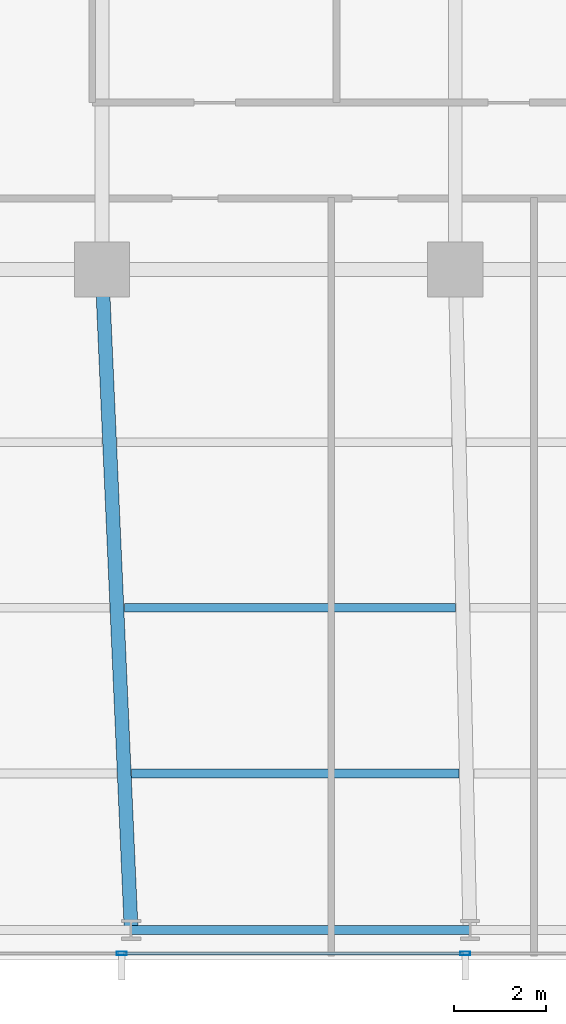
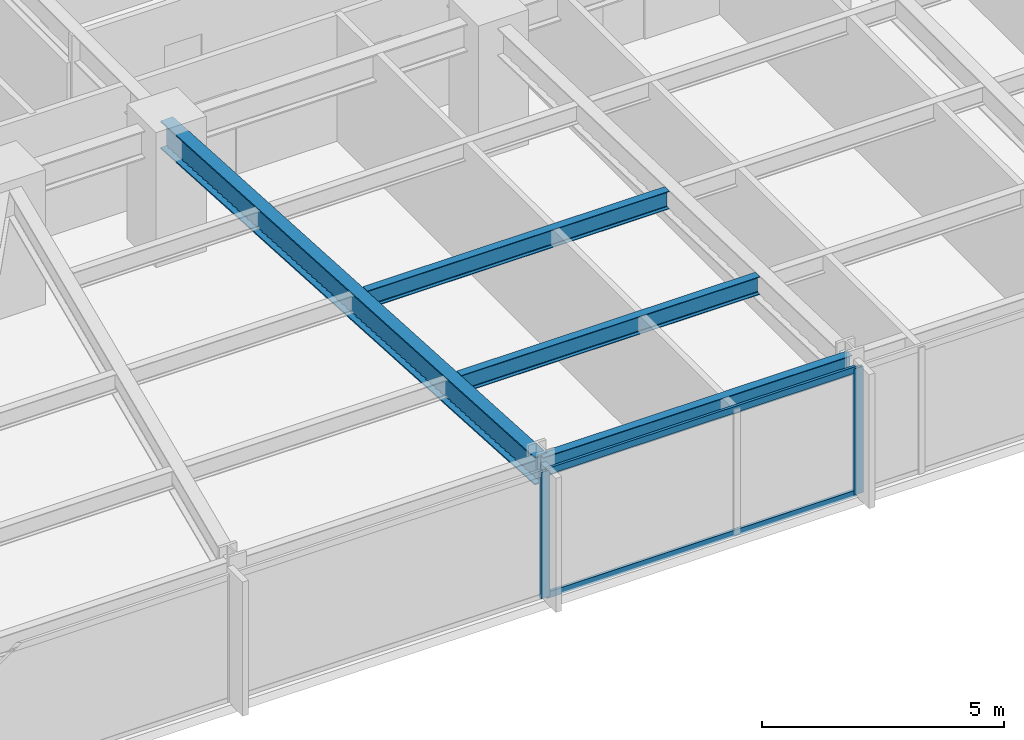
# One storey, part 5 of 33: 4 beams, 4 members, 1 element without a shape of its own.
"""IFC4 building model written with IfcOpenShell, lengths in metres."""

from ifc_helpers import new_model, si_unit, direction, frame, origin, origin_2d, place, context, subcontext, project, spatial, hollow_rectangle, i_section, extrude, material, material_profile, profile_set, type_object, element, aggregate, save


model = new_model("IFC4")

# Units and contexts
model_context = context("Model", 3, precision=1e-05, world=origin(), true_north=direction((0.0, 1.0)))
body_context = subcontext(model_context, "Body", "Model", "MODEL_VIEW")
ifc_project = project(units=[si_unit("LENGTHUNIT", "METRE"), si_unit("AREAUNIT", "SQUARE_METRE"), si_unit("VOLUMEUNIT", "CUBIC_METRE"), si_unit("PLANEANGLEUNIT", "RADIAN"), si_unit("MASSUNIT", "GRAM", prefix="KILO")], contexts=[model_context])

# Site, building, storey
site_placement = place(None, origin())
site = spatial("IfcSite", under=ifc_project, at=site_placement, CompositionType="ELEMENT")
building_placement = place(site_placement, origin())
building = spatial("IfcBuilding", under=site, at=building_placement, Name="Yelkora Congress Tower", CompositionType="ELEMENT")
storey_placement = place(building_placement, frame((0.0, 0.0, 54.199951171875)))
storey = spatial("IfcBuildingStorey", under=building, at=storey_placement, Name="L13", CompositionType="ELEMENT", Elevation=54.199951171875)

# Beams
ifc_material_1 = material(Name="Steel S355J2", Category="steel")
ifc_material_profile_1 = material_profile(ifc_material_1, i_section(OverallWidth=0.300048828125, OverallDepth=0.699951171875, WebThickness=0.01708984375, FlangeThickness=0.031982421875, FilletRadius=0.027099609375, at=origin_2d()), Name="HEB 700")
ifc_profile_set_1 = profile_set([ifc_material_profile_1], Name="Steel S355J2")
beam_type_1 = type_object("IfcBeamType", Name="BM-GIRD-HEB700", PredefinedType="BEAM", material=ifc_profile_set_1)
beam_1_placement = place(storey_placement, frame((23.675048828125, 10.85009765625, 2.830078125), z_axis=(-0.044208738849, 0.999022315771, 0.0), x_axis=(-0.999022315771, -0.044208738849, 0.0)))
element("IfcBeam", 1, at=beam_1_placement, inside=storey, type_object=beam_type_1, Name="L13 Primary Frame Girder S03", PredefinedType="BEAM", context=body_context, shape_type="SweptSolid", body=[
    extrude(i_section(OverallWidth=0.300048828125, OverallDepth=0.699951171875, WebThickness=0.01708984375, FlangeThickness=0.031982421875, FilletRadius=0.027099609375, at=origin_2d()), origin(), (0.0, 0.0, 1.0), 14.364013671875),
])
ifc_material_profile_2 = material_profile(ifc_material_1, i_section(OverallWidth=0.18994140625, OverallDepth=0.449951171875, WebThickness=0.009521484375, FlangeThickness=0.0146484375, FilletRadius=0.02099609375, at=origin_2d()), Name="IPE 450")
ifc_profile_set_2 = profile_set([ifc_material_profile_2], Name="Steel S355J2")
beam_type_2 = type_object("IfcBeamType", Name="BM-JOIST-IPE450", PredefinedType="JOIST", material=ifc_profile_set_2)
beam_2_placement = place(storey_placement, frame((23.6845703125, 14.25, 2.955078125), z_axis=(1.0, 0.0, 0.0), x_axis=(0.0, 1.0, 0.0)))
element("IfcBeam", 2, at=beam_2_placement, inside=storey, type_object=beam_type_2, Name="L13 Composite Floor Joist 3", PredefinedType="JOIST", context=body_context, shape_type="SweptSolid", body=[
    extrude(i_section(OverallWidth=0.18994140625, OverallDepth=0.449951171875, WebThickness=0.009521484375, FlangeThickness=0.0146484375, FilletRadius=0.02099609375, at=origin_2d()), origin(), (0.0, 0.0, 1.0), 7.11767578125),
])
beam_3_placement = place(storey_placement, frame((23.525146484375, 17.85009765625, 2.955078125), z_axis=(1.0, 0.0, 0.0), x_axis=(0.0, 1.0, 0.0)))
element("IfcBeam", 3, at=beam_3_placement, inside=storey, type_object=beam_type_2, Name="L13 Composite Floor Joist 11", PredefinedType="JOIST", context=body_context, shape_type="SweptSolid", body=[
    extrude(i_section(OverallWidth=0.18994140625, OverallDepth=0.449951171875, WebThickness=0.009521484375, FlangeThickness=0.0146484375, FilletRadius=0.02099609375, at=origin_2d()), origin(), (0.0, 0.0, 1.0), 7.197509765625),
])
ifc_material_profile_3 = material_profile(ifc_material_1, i_section(OverallWidth=0.199951171875, OverallDepth=0.5, WebThickness=0.01025390625, FlangeThickness=0.01611328125, FilletRadius=0.02099609375, at=origin_2d()), Name="IPE 500")
ifc_profile_set_3 = profile_set([ifc_material_profile_3], Name="Steel S355J2")
beam_type_3 = type_object("IfcBeamType", Name="BM-SPAN-IPE500", PredefinedType="SPANDREL", material=ifc_profile_set_3)
beam_4_placement = place(storey_placement, frame((23.675048828125, 10.85009765625, 2.929931640625), z_axis=(1.0, 0.0, 0.0), x_axis=(0.0, 1.0, 0.0)))
element("IfcBeam", 4, at=beam_4_placement, inside=storey, type_object=beam_type_3, Name="L13 Perimeter Beam 4", PredefinedType="SPANDREL", context=body_context, shape_type="SweptSolid", body=[
    extrude(i_section(OverallWidth=0.199951171875, OverallDepth=0.5, WebThickness=0.01025390625, FlangeThickness=0.01611328125, FilletRadius=0.02099609375, at=origin_2d()), origin(), (0.0, 0.0, 1.0), 7.362548828125),
])

# Curtain wall, members
ifc_material_2 = material(Name="Anodised aluminium and insulated glass", Category="aluminium")
curtain_wall_type = type_object("IfcCurtainWallType", Name="CW-SYS-B1", PredefinedType="NOTDEFINED", material=ifc_material_2)
curtain_wall_placement = place(storey_placement, origin())
curtain_wall = element("IfcCurtainWall", 5, at=curtain_wall_placement, inside=storey, type_object=curtain_wall_type, Name="L13 Unitised Curtain Wall 20", PredefinedType="NOTDEFINED")
ifc_material_3 = material(Name="Anodised aluminium 6063-T6", Category="aluminium")
ifc_material_profile_4 = material_profile(ifc_material_3, hollow_rectangle(XDim=0.074951171875, YDim=0.219970703125, WallThickness=0.0048828125, at=origin_2d()), Name="ALU 75x220x5")
ifc_profile_set_4 = profile_set([ifc_material_profile_4], Name="Anodised aluminium 6063-T6")
member_type_1 = type_object("IfcMemberType", Name="MEM-ML-B1", PredefinedType="MULLION", material=ifc_profile_set_4)
member_1_placement = place(storey_placement, frame((30.93505859375, 10.340087890625, 0.0), z_axis=(0.0, 0.0, 1.0), x_axis=(0.0, -1.0, 0.0)))
member_1 = element("IfcMember", 6, at=member_1_placement, type_object=member_type_1, Name="CW-B1 mullion 6", PredefinedType="MULLION", context=body_context, shape_type="SweptSolid", body=[
    extrude(hollow_rectangle(XDim=0.074951171875, YDim=0.219970703125, WallThickness=0.0048828125, at=origin_2d()), origin(), (0.0, 0.0, 1.0), 3.179931640625),
])
member_2_placement = place(storey_placement, frame((23.469970703125, 10.340087890625, 0.0), z_axis=(0.0, 0.0, 1.0), x_axis=(0.0, -1.0, 0.0)))
member_2 = element("IfcMember", 7, at=member_2_placement, type_object=member_type_1, Name="CW-B1 mullion 7", PredefinedType="MULLION", context=body_context, shape_type="SweptSolid", body=[
    extrude(hollow_rectangle(XDim=0.074951171875, YDim=0.219970703125, WallThickness=0.0048828125, at=origin_2d()), origin(), (0.0, 0.0, 1.0), 3.179931640625),
])
ifc_material_profile_5 = material_profile(ifc_material_3, hollow_rectangle(XDim=0.06494140625, YDim=0.159912109375, WallThickness=0.00390625, at=origin_2d()), Name="ALU 65x160x4")
ifc_profile_set_5 = profile_set([ifc_material_profile_5], Name="Anodised aluminium 6063-T6")
member_type_2 = type_object("IfcMemberType", Name="MEM-TR-B1", PredefinedType="USERDEFINED", material=ifc_profile_set_5)
member_3_placement = place(storey_placement, frame((30.8974609375, 10.340087890625, 0.032470703125), z_axis=(-1.0, 0.0, 0.0), x_axis=(0.0, -1.0, 0.0)))
member_3 = element("IfcMember", 8, at=member_3_placement, type_object=member_type_2, Name="CW-B1 transom 6.1", ObjectType="TRANSOM", PredefinedType="USERDEFINED", context=body_context, shape_type="SweptSolid", body=[
    extrude(hollow_rectangle(XDim=0.06494140625, YDim=0.159912109375, WallThickness=0.00390625, at=origin_2d()), origin(), (0.0, 0.0, 1.0), 7.389892578125),
])
member_4_placement = place(storey_placement, frame((30.8974609375, 10.340087890625, 3.1474609375), z_axis=(-1.0, 0.0, 0.0), x_axis=(0.0, -1.0, 0.0)))
member_4 = element("IfcMember", 9, at=member_4_placement, type_object=member_type_2, Name="CW-B1 transom 6.2", ObjectType="TRANSOM", PredefinedType="USERDEFINED", context=body_context, shape_type="SweptSolid", body=[
    extrude(hollow_rectangle(XDim=0.06494140625, YDim=0.159912109375, WallThickness=0.00390625, at=origin_2d()), origin(), (0.0, 0.0, 1.0), 7.389892578125),
])
aggregate(curtain_wall, [member_1, member_2, member_3, member_4])

save(model, "model.ifc")
